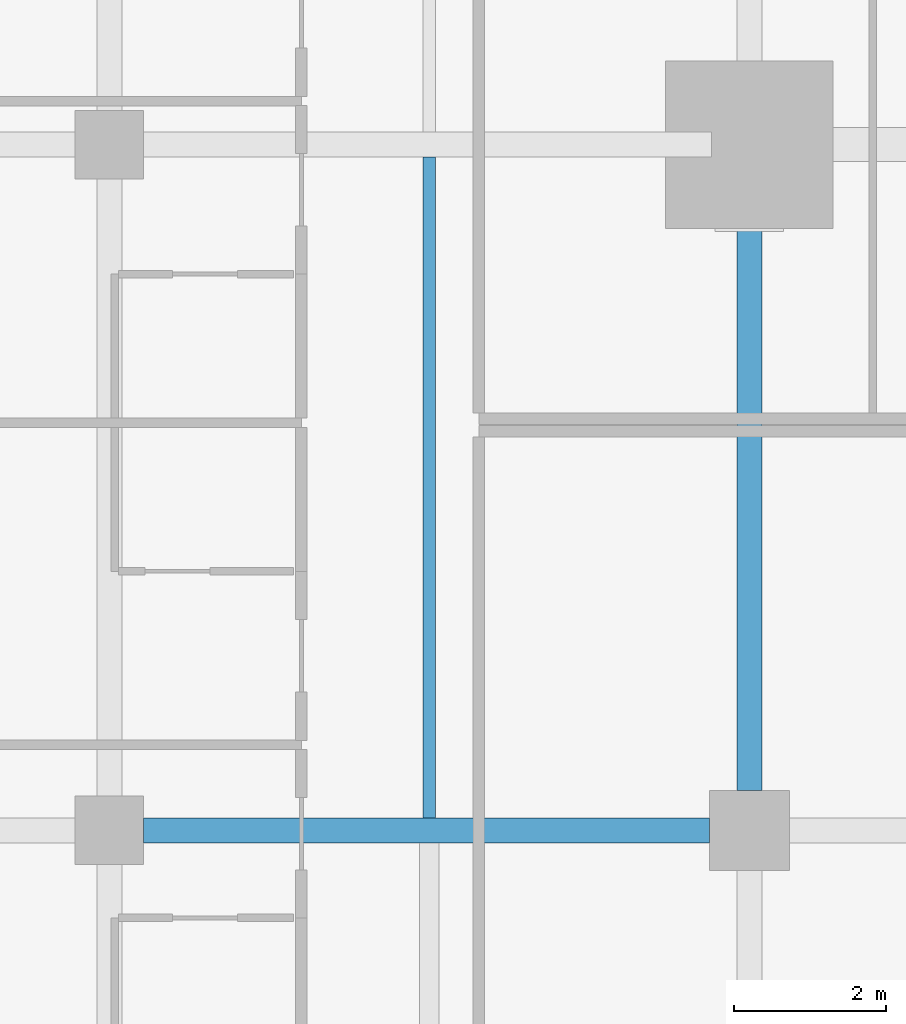
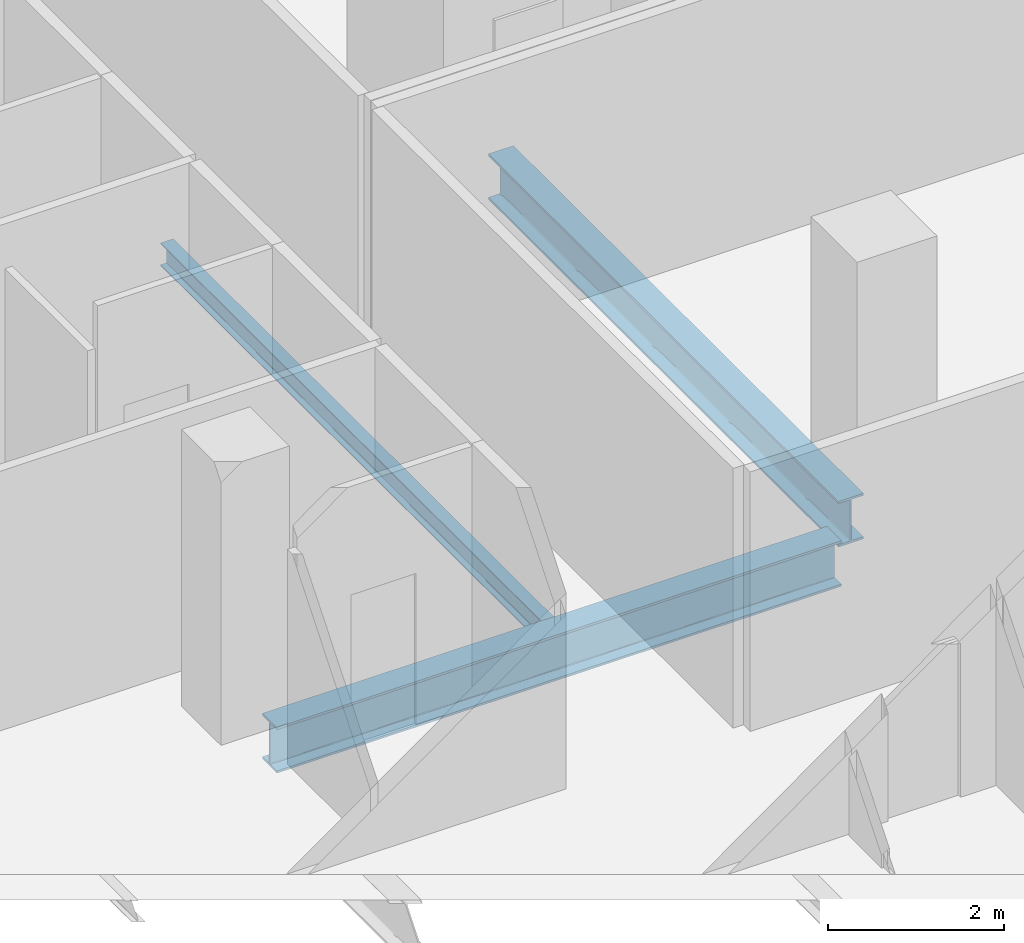
# One storey, part 11 of 40: 3 beams.
"""IFC4 building model written with IfcOpenShell, lengths in metres."""

from ifc_helpers import new_model, si_unit, direction, frame, origin, origin_2d, place, context, subcontext, project, spatial, i_section, extrude, material, material_profile, profile_set, type_object, element, save


model = new_model("IFC4")

# Units and contexts
model_context = context("Model", 3, precision=1e-05, world=origin(), true_north=direction((0.0, 1.0)))
body_context = subcontext(model_context, "Body", "Model", "MODEL_VIEW")
ifc_project = project(units=[si_unit("LENGTHUNIT", "METRE"), si_unit("AREAUNIT", "SQUARE_METRE"), si_unit("VOLUMEUNIT", "CUBIC_METRE"), si_unit("PLANEANGLEUNIT", "RADIAN"), si_unit("MASSUNIT", "GRAM", prefix="KILO")], contexts=[model_context])

# Site, building, storey
site_placement = place(None, origin())
site = spatial("IfcSite", under=ifc_project, at=site_placement, CompositionType="ELEMENT")
building_placement = place(site_placement, origin())
building = spatial("IfcBuilding", under=site, at=building_placement, Name="Maruvema Waterfront Hotel and Observation Tower", CompositionType="ELEMENT")
storey_placement = place(building_placement, frame((0.0, 0.0, 34.64990234375)))
storey = spatial("IfcBuildingStorey", under=building, at=storey_placement, Name="L07", CompositionType="ELEMENT", Elevation=34.64990234375)

# Beams
ifc_material_1 = material(Name="Steel ASTM A572 Grade 50", Category="steel")
ifc_material_profile_1 = material_profile(ifc_material_1, i_section(OverallWidth=0.3291015625, OverallDepth=0.635009765625, WebThickness=0.017822265625, FlangeThickness=0.031005859375, FilletRadius=0.01806640625, at=origin_2d()), Name="W610x241.0")
ifc_profile_set_1 = profile_set([ifc_material_profile_1], Name="Steel ASTM A572 Grade 50")
beam_type_1 = type_object("IfcBeamType", Name="Primary Floor Girder W610x241.0", PredefinedType="BEAM", material=ifc_profile_set_1)
beam_1_placement = place(storey_placement, frame((17.25, 18.0, -0.557373046875), z_axis=(1.0, 0.0, 0.0), x_axis=(0.0, 1.0, 0.0)))
element("IfcBeam", 1, at=beam_1_placement, inside=storey, type_object=beam_type_1, Name="L07 Floor Girder EW-14", PredefinedType="BEAM", context=body_context, shape_type="SweptSolid", body=[
    extrude(i_section(OverallWidth=0.3291015625, OverallDepth=0.635009765625, WebThickness=0.017822265625, FlangeThickness=0.031005859375, FilletRadius=0.01806640625, at=origin_2d()), origin(), (0.0, 0.0, 1.0), 7.425048828125),
])
beam_2_placement = place(storey_placement, frame((25.199951171875, 18.52490234375, -0.557373046875), z_axis=(0.0, 1.0, 0.0), x_axis=(-1.0, 0.0, 0.0)))
element("IfcBeam", 2, at=beam_2_placement, inside=storey, type_object=beam_type_1, Name="L07 Floor Girder NS-13", PredefinedType="BEAM", context=body_context, shape_type="SweptSolid", body=[
    extrude(i_section(OverallWidth=0.3291015625, OverallDepth=0.635009765625, WebThickness=0.017822265625, FlangeThickness=0.031005859375, FilletRadius=0.01806640625, at=origin_2d()), origin(), (0.0, 0.0, 1.0), 7.97509765625),
])
ifc_material_2 = material(Name="Steel ASTM A572 Grade 50", Category="steel")
ifc_material_profile_2 = material_profile(ifc_material_2, i_section(OverallWidth=0.1669921875, OverallDepth=0.31689453125, WebThickness=0.007568359375, FlangeThickness=0.01318359375, FilletRadius=0.012939453125, at=origin_2d()), Name="W310x52.0")
ifc_profile_set_2 = profile_set([ifc_material_profile_2], Name="Steel ASTM A572 Grade 50")
beam_type_2 = type_object("IfcBeamType", Name="Secondary Floor Joist W310x52.0", PredefinedType="JOIST", material=ifc_profile_set_2)
beam_3_placement = place(storey_placement, frame((21.0, 18.16455078125, -0.3984375), z_axis=(0.0, 1.0, 0.0), x_axis=(-1.0, 0.0, 0.0)))
element("IfcBeam", 3, at=beam_3_placement, inside=storey, type_object=beam_type_2, Name="L07 Secondary Floor Joist JS-07", PredefinedType="JOIST", context=body_context, shape_type="SweptSolid", body=[
    extrude(i_section(OverallWidth=0.1669921875, OverallDepth=0.31689453125, WebThickness=0.007568359375, FlangeThickness=0.01318359375, FilletRadius=0.012939453125, at=origin_2d()), origin(), (0.0, 0.0, 1.0), 8.6708984375),
])

save(model, "model.ifc")
